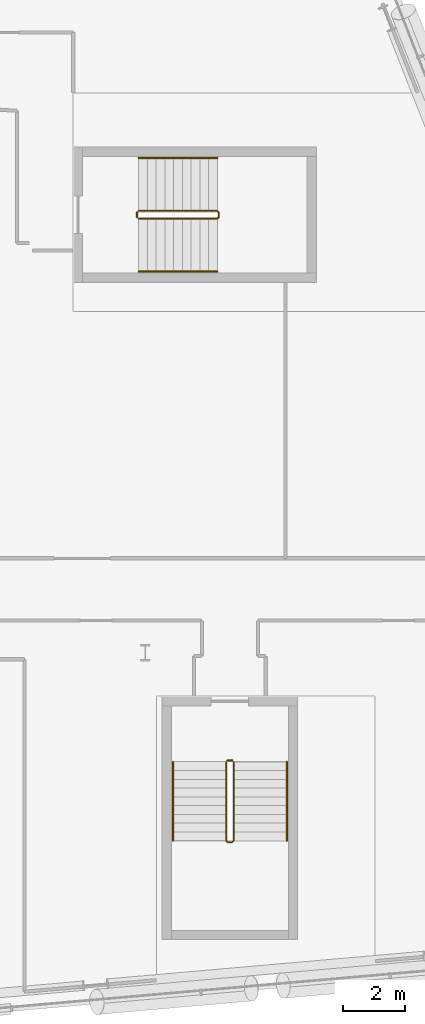
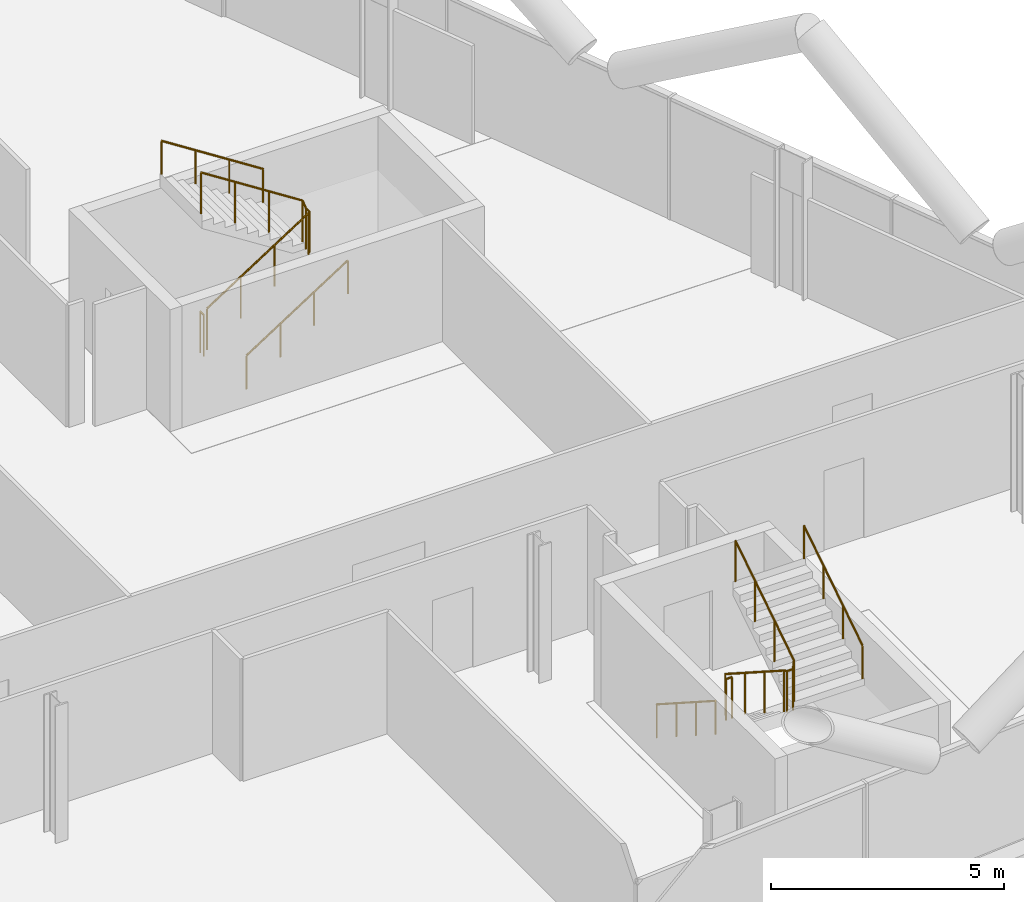
# One storey, part 27 of 27: 8 railings.
"""IFC4 building model written with IfcOpenShell, lengths in metres."""

from ifc_helpers import new_model, si_unit, direction, frame, origin, origin_2d, place, context, subcontext, project, spatial, circle, extrude, material, type_object, element, save


model = new_model("IFC4")

# Units and contexts
model_context = context("Model", 3, precision=1e-05, world=origin(), true_north=direction((0.0, 1.0)))
body_context = subcontext(model_context, "Body", "Model", "MODEL_VIEW")
ifc_project = project(units=[si_unit("LENGTHUNIT", "METRE"), si_unit("AREAUNIT", "SQUARE_METRE"), si_unit("VOLUMEUNIT", "CUBIC_METRE"), si_unit("PLANEANGLEUNIT", "RADIAN"), si_unit("MASSUNIT", "GRAM", prefix="KILO")], contexts=[model_context])

# Site, building, storey
site_placement = place(None, origin())
site = spatial("IfcSite", under=ifc_project, at=site_placement, CompositionType="ELEMENT")
building_placement = place(site_placement, origin())
building = spatial("IfcBuilding", under=site, at=building_placement, Name="Wharfspan Tower", CompositionType="ELEMENT")
storey_placement = place(building_placement, frame((0.0, 0.0, 139.899902)))
storey = spatial("IfcBuildingStorey", under=building, at=storey_placement, Name="L33", CompositionType="ELEMENT", Elevation=139.899902)

# Railings
ifc_material = material(Name="Steel S355J2", Category="steel")
railing_type_1 = type_object("IfcRailingType", Name="Stair guard 1100", PredefinedType="GUARDRAIL", material=ifc_material)
railing_1_placement = place(storey_placement, frame((74.591064, 7.994629, 0.180176)))
element("IfcRailing", 1, at=railing_1_placement, inside=storey, type_object=railing_type_1, Name="L33 ST5 stair guard 1", PredefinedType="GUARDRAIL", context=body_context, shape_type="SweptSolid", body=[
    extrude(circle(Radius=0.023926, at=origin_2d()), frame((0.0, 0.0, 1.076172), z_axis=(0.0, -0.8412, 0.540725), x_axis=(1.0, 0.0, 0.0)), (0.0, 0.0, 1.0), 2.99585),
    extrude(circle(Radius=0.023926, at=origin_2d()), frame((0.0, -2.52002, 2.695801), z_axis=(0.707107, -0.707107, 0.0), x_axis=(0.707107, 0.707107, 0.0)), (0.0, 0.0, 1.0), 0.070801),
    extrude(circle(Radius=0.023926, at=origin_2d()), frame((0.050049, -2.570068, 2.695801), z_axis=(1.0, 0.0, 0.0), x_axis=(0.0, 1.0, 0.0)), (0.0, 0.0, 1.0), 0.149902),
    extrude(circle(Radius=0.023926, at=origin_2d()), frame((0.199951, -2.570068, 2.695801), z_axis=(0.258848, 0.258848, 0.930589), x_axis=(-0.707107, 0.707107, 0.0)), (0.0, 0.0, 1.0), 0.193359),
    extrude(circle(Radius=0.023926, at=origin_2d()), frame((0.25, -2.52002, 2.875977), z_axis=(0.0, 0.841163, 0.540782), x_axis=(-1.0, 0.0, 0.0)), (0.0, 0.0, 1.0), 2.99585),
    extrude(circle(Radius=0.020996, at=origin_2d()), origin(), (0.0, 0.0, 1.0), 1.052002),
    extrude(circle(Radius=0.020996, at=origin_2d()), frame((0.0, -0.840088, 0.540039)), (0.0, 0.0, 1.0), 1.052002),
    extrude(circle(Radius=0.020996, at=origin_2d()), frame((0.0, -1.679932, 1.079834)), (0.0, 0.0, 1.0), 1.052002),
    extrude(circle(Radius=0.020996, at=origin_2d()), frame((0.0, -2.52002, 1.619873)), (0.0, 0.0, 1.0), 1.052002),
    extrude(circle(Radius=0.020996, at=origin_2d()), frame((0.050049, -2.570068, 1.619873)), (0.0, 0.0, 1.0), 1.052002),
    extrude(circle(Radius=0.020996, at=origin_2d()), frame((0.199951, -2.570068, 1.619873)), (0.0, 0.0, 1.0), 1.052002),
    extrude(circle(Radius=0.020996, at=origin_2d()), frame((0.25, -2.52002, 1.799805)), (0.0, 0.0, 1.0), 1.052002),
    extrude(circle(Radius=0.020996, at=origin_2d()), frame((0.25, -1.679932, 2.339844)), (0.0, 0.0, 1.0), 1.052002),
    extrude(circle(Radius=0.020996, at=origin_2d()), frame((0.25, -0.840088, 2.879883)), (0.0, 0.0, 1.0), 1.052002),
    extrude(circle(Radius=0.020996, at=origin_2d()), frame((0.25, 0.0, 3.419922)), (0.0, 0.0, 1.0), 1.052002),
])
railing_2_placement = place(storey_placement, frame((74.641113, 8.044678, 0.0)))
element("IfcRailing", 2, at=railing_2_placement, inside=storey, type_object=railing_type_1, Name="L33 ST5 stair guard 2", PredefinedType="GUARDRAIL", context=body_context, shape_type="SweptSolid", body=[
    extrude(circle(Radius=0.023926, at=origin_2d()), frame((0.0, 0.0, 1.076172), z_axis=(1.0, 0.0, 0.0), x_axis=(0.0, 1.0, 0.0)), (0.0, 0.0, 1.0), 0.149902),
    extrude(circle(Radius=0.020996, at=origin_2d()), origin(), (0.0, 0.0, 1.0), 1.052002),
    extrude(circle(Radius=0.020996, at=origin_2d()), frame((0.149902, 0.0, 0.0)), (0.0, 0.0, 1.0), 1.052002),
])
railing_3_placement = place(storey_placement, frame((71.790283, 25.425049, 0.180176)))
element("IfcRailing", 3, at=railing_3_placement, inside=storey, type_object=railing_type_1, Name="L33 ST6 stair guard 1", PredefinedType="GUARDRAIL", context=body_context, shape_type="SweptSolid", body=[
    extrude(circle(Radius=0.023926, at=origin_2d()), frame((0.0, 0.0, 1.076172), z_axis=(0.8412, 0.0, 0.540725), x_axis=(0.0, 1.0, 0.0)), (0.0, 0.0, 1.0), 2.99585),
    extrude(circle(Radius=0.023926, at=origin_2d()), frame((2.52002, 0.0, 2.695801), z_axis=(0.707107, 0.707107, 0.0), x_axis=(-0.707107, 0.707107, 0.0)), (0.0, 0.0, 1.0), 0.070801),
    extrude(circle(Radius=0.023926, at=origin_2d()), frame((2.570068, 0.050049, 2.695801), z_axis=(0.0, 1.0, 0.0), x_axis=(-1.0, 0.0, 0.0)), (0.0, 0.0, 1.0), 0.149902),
    extrude(circle(Radius=0.023926, at=origin_2d()), frame((2.570068, 0.199951, 2.695801), z_axis=(-0.258848, 0.258848, 0.930589), x_axis=(-0.707107, -0.707107, 0.0)), (0.0, 0.0, 1.0), 0.193359),
    extrude(circle(Radius=0.023926, at=origin_2d()), frame((2.52002, 0.25, 2.875977), z_axis=(-0.841163, 0.0, 0.540782), x_axis=(0.0, -1.0, 0.0)), (0.0, 0.0, 1.0), 2.99585),
    extrude(circle(Radius=0.020996, at=origin_2d()), origin(), (0.0, 0.0, 1.0), 1.052002),
    extrude(circle(Radius=0.020996, at=origin_2d()), frame((0.840088, 0.0, 0.540039)), (0.0, 0.0, 1.0), 1.052002),
    extrude(circle(Radius=0.020996, at=origin_2d()), frame((1.679932, 0.0, 1.079834)), (0.0, 0.0, 1.0), 1.052002),
    extrude(circle(Radius=0.020996, at=origin_2d()), frame((2.52002, 0.0, 1.619873)), (0.0, 0.0, 1.0), 1.052002),
    extrude(circle(Radius=0.020996, at=origin_2d()), frame((2.570068, 0.050049, 1.619873)), (0.0, 0.0, 1.0), 1.052002),
    extrude(circle(Radius=0.020996, at=origin_2d()), frame((2.570068, 0.199951, 1.619873)), (0.0, 0.0, 1.0), 1.052002),
    extrude(circle(Radius=0.020996, at=origin_2d()), frame((2.52002, 0.25, 1.799805)), (0.0, 0.0, 1.0), 1.052002),
    extrude(circle(Radius=0.020996, at=origin_2d()), frame((1.679932, 0.25, 2.339844)), (0.0, 0.0, 1.0), 1.052002),
    extrude(circle(Radius=0.020996, at=origin_2d()), frame((0.840088, 0.25, 2.879883)), (0.0, 0.0, 1.0), 1.052002),
    extrude(circle(Radius=0.020996, at=origin_2d()), frame((0.0, 0.25, 3.419922)), (0.0, 0.0, 1.0), 1.052002),
])
railing_4_placement = place(storey_placement, frame((71.740479, 25.475098, 0.0)))
element("IfcRailing", 4, at=railing_4_placement, inside=storey, type_object=railing_type_1, Name="L33 ST6 stair guard 2", PredefinedType="GUARDRAIL", context=body_context, shape_type="SweptSolid", body=[
    extrude(circle(Radius=0.023926, at=origin_2d()), frame((0.0, 0.0, 1.076172), z_axis=(0.0, 1.0, 0.0), x_axis=(-1.0, 0.0, 0.0)), (0.0, 0.0, 1.0), 0.149902),
    extrude(circle(Radius=0.020996, at=origin_2d()), origin(), (0.0, 0.0, 1.0), 1.052002),
    extrude(circle(Radius=0.020996, at=origin_2d()), frame((0.0, 0.149902, 0.0)), (0.0, 0.0, 1.0), 1.052002),
])
railing_type_2 = type_object("IfcRailingType", Name="Stair handrail 900", PredefinedType="HANDRAIL", material=ifc_material)
railing_5_placement = place(storey_placement, frame((72.891113, 7.994629, 0.180176)))
element("IfcRailing", 5, at=railing_5_placement, inside=storey, type_object=railing_type_2, Name="L33 ST5 stair handrail 1", PredefinedType="HANDRAIL", context=body_context, shape_type="SweptSolid", body=[
    extrude(circle(Radius=0.023926, at=origin_2d()), frame((0.0, 0.0, 0.875977), z_axis=(0.0, -0.8412, 0.540725), x_axis=(1.0, 0.0, 0.0)), (0.0, 0.0, 1.0), 2.99585),
    extrude(circle(Radius=0.020996, at=origin_2d()), origin(), (0.0, 0.0, 1.0), 0.851807),
    extrude(circle(Radius=0.020996, at=origin_2d()), frame((0.0, -0.840088, 0.540039)), (0.0, 0.0, 1.0), 0.851807),
    extrude(circle(Radius=0.020996, at=origin_2d()), frame((0.0, -1.679932, 1.079834)), (0.0, 0.0, 1.0), 0.851807),
    extrude(circle(Radius=0.020996, at=origin_2d()), frame((0.0, -2.52002, 1.619873)), (0.0, 0.0, 1.0), 0.851807),
])
railing_6_placement = place(storey_placement, frame((76.541016, 5.474609, 1.97998)))
element("IfcRailing", 6, at=railing_6_placement, inside=storey, type_object=railing_type_2, Name="L33 ST5 stair handrail 2", PredefinedType="HANDRAIL", context=body_context, shape_type="SweptSolid", body=[
    extrude(circle(Radius=0.023926, at=origin_2d()), frame((0.0, 0.0, 0.875977), z_axis=(0.0, 0.841163, 0.540782), x_axis=(-1.0, 0.0, 0.0)), (0.0, 0.0, 1.0), 2.99585),
    extrude(circle(Radius=0.020996, at=origin_2d()), origin(), (0.0, 0.0, 1.0), 0.851807),
    extrude(circle(Radius=0.020996, at=origin_2d()), frame((0.0, 0.840088, 0.540039)), (0.0, 0.0, 1.0), 0.851807),
    extrude(circle(Radius=0.020996, at=origin_2d()), frame((0.0, 1.679932, 1.080078)), (0.0, 0.0, 1.0), 0.851807),
    extrude(circle(Radius=0.020996, at=origin_2d()), frame((0.0, 2.52002, 1.620117)), (0.0, 0.0, 1.0), 0.851807),
])
railing_7_placement = place(storey_placement, frame((71.790283, 23.725098, 0.180176)))
element("IfcRailing", 7, at=railing_7_placement, inside=storey, type_object=railing_type_2, Name="L33 ST6 stair handrail 1", PredefinedType="HANDRAIL", context=body_context, shape_type="SweptSolid", body=[
    extrude(circle(Radius=0.023926, at=origin_2d()), frame((0.0, 0.0, 0.875977), z_axis=(0.8412, 0.0, 0.540725), x_axis=(0.0, 1.0, 0.0)), (0.0, 0.0, 1.0), 2.99585),
    extrude(circle(Radius=0.020996, at=origin_2d()), origin(), (0.0, 0.0, 1.0), 0.851807),
    extrude(circle(Radius=0.020996, at=origin_2d()), frame((0.840088, 0.0, 0.540039)), (0.0, 0.0, 1.0), 0.851807),
    extrude(circle(Radius=0.020996, at=origin_2d()), frame((1.679932, 0.0, 1.079834)), (0.0, 0.0, 1.0), 0.851807),
    extrude(circle(Radius=0.020996, at=origin_2d()), frame((2.52002, 0.0, 1.619873)), (0.0, 0.0, 1.0), 0.851807),
])
railing_8_placement = place(storey_placement, frame((74.310303, 27.375, 1.97998)))
element("IfcRailing", 8, at=railing_8_placement, inside=storey, type_object=railing_type_2, Name="L33 ST6 stair handrail 2", PredefinedType="HANDRAIL", context=body_context, shape_type="SweptSolid", body=[
    extrude(circle(Radius=0.023926, at=origin_2d()), frame((0.0, 0.0, 0.875977), z_axis=(-0.841163, 0.0, 0.540782), x_axis=(0.0, -1.0, 0.0)), (0.0, 0.0, 1.0), 2.99585),
    extrude(circle(Radius=0.020996, at=origin_2d()), origin(), (0.0, 0.0, 1.0), 0.851807),
    extrude(circle(Radius=0.020996, at=origin_2d()), frame((-0.840088, 0.0, 0.540039)), (0.0, 0.0, 1.0), 0.851807),
    extrude(circle(Radius=0.020996, at=origin_2d()), frame((-1.679932, 0.0, 1.080078)), (0.0, 0.0, 1.0), 0.851807),
    extrude(circle(Radius=0.020996, at=origin_2d()), frame((-2.52002, 0.0, 1.620117)), (0.0, 0.0, 1.0), 0.851807),
])

save(model, "model.ifc")
